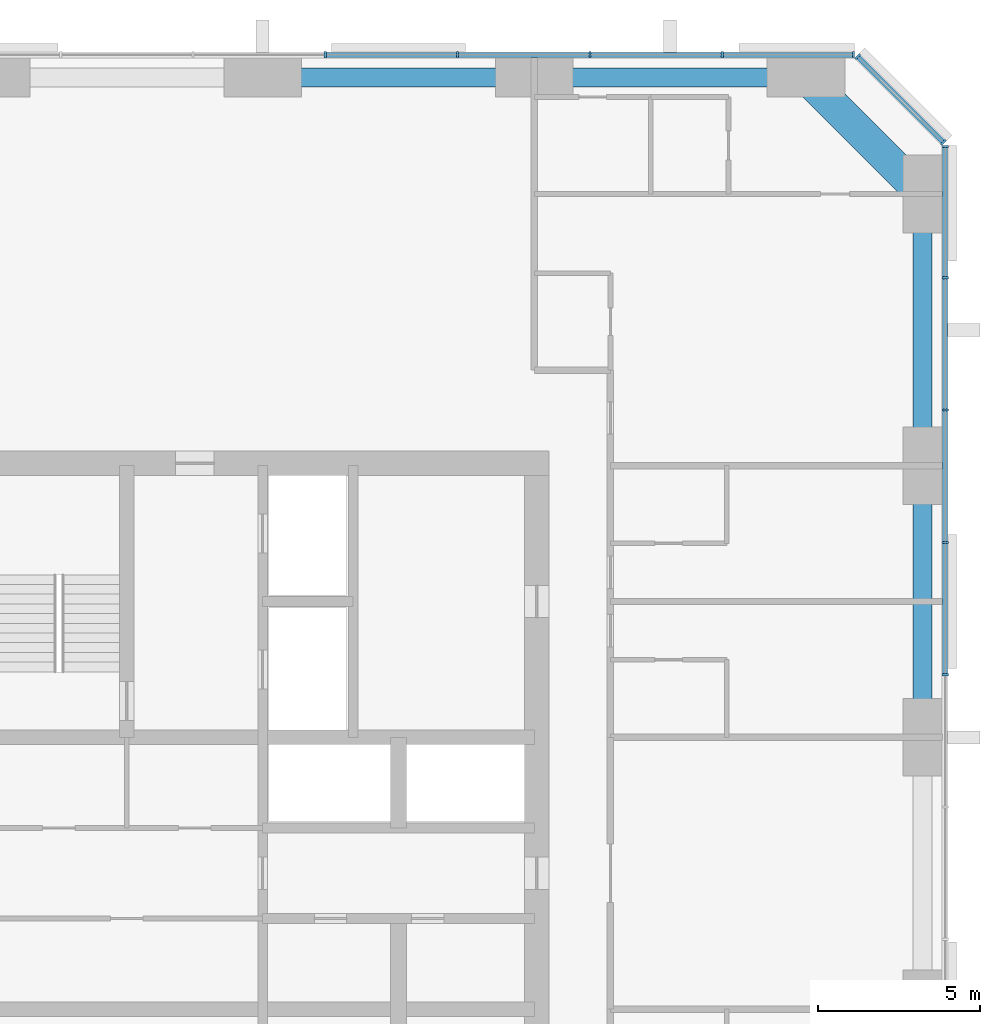
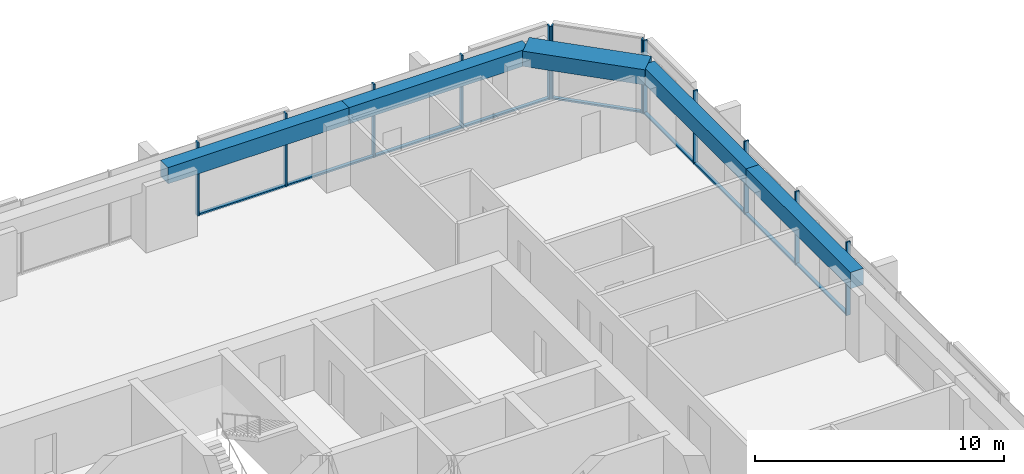
# One storey, part 6 of 13: 21 members, 5 beams, 3 elements without a shape of their own.
"""IFC4 building model written with IfcOpenShell, lengths in metres."""

from ifc_helpers import new_model, si_unit, direction, frame, origin, origin_2d, place, context, subcontext, project, spatial, rectangle, extrude, material, material_profile, profile_set, type_object, element, aggregate, save


model = new_model("IFC4")

# Units and contexts
model_context = context("Model", 3, precision=1e-05, world=origin(), true_north=direction((0.0, 1.0)))
body_context = subcontext(model_context, "Body", "Model", "MODEL_VIEW")
ifc_project = project(units=[si_unit("LENGTHUNIT", "METRE"), si_unit("AREAUNIT", "SQUARE_METRE"), si_unit("VOLUMEUNIT", "CUBIC_METRE"), si_unit("PLANEANGLEUNIT", "RADIAN"), si_unit("MASSUNIT", "GRAM", prefix="KILO")], contexts=[model_context])

# Site, building, storey
site_placement = place(None, origin())
site = spatial("IfcSite", under=ifc_project, at=site_placement, CompositionType="ELEMENT")
building_placement = place(site_placement, origin())
building = spatial("IfcBuilding", under=site, at=building_placement, Name="Dunama Terrace Hotel", CompositionType="ELEMENT")
storey_placement = place(building_placement, frame((0.0, 0.0, 166.199951171875)))
storey = spatial("IfcBuildingStorey", under=building, at=storey_placement, Name="L42", CompositionType="ELEMENT", Elevation=166.199951171875)

# Curtain wall, members
ifc_material_1 = material(Name="Aluminium curtain wall system", Category="aluminium")
curtain_wall_type = type_object("IfcCurtainWallType", Name="Unitised fritted glass wall CW-C", PredefinedType="NOTDEFINED", material=ifc_material_1)
curtain_wall_1_placement = place(storey_placement, origin())
curtain_wall_1 = element("IfcCurtainWall", 1, at=curtain_wall_1_placement, inside=storey, type_object=curtain_wall_type, Name="Unitised fritted glass wall CW-C L42", PredefinedType="NOTDEFINED")
ifc_material_2 = material(Name="Aluminium mullion", Category="aluminium")
ifc_material_profile_1 = material_profile(ifc_material_2, rectangle(XDim=0.070068359375, YDim=0.199951171875, at=origin_2d()), Name="CWC MULLION 70X200")
ifc_profile_set_1 = profile_set([ifc_material_profile_1], Name="Aluminium mullion")
member_type_1 = type_object("IfcMemberType", Name="CWC mullion 70x200", PredefinedType="MULLION", material=ifc_profile_set_1)
member_1_placement = place(storey_placement, frame((54.699951171875, 35.535888671875, 0.0), z_axis=(0.0, 0.0, 1.0), x_axis=(0.0, 1.0, 0.0)))
member_1 = element("IfcMember", 2, at=member_1_placement, type_object=member_type_1, Name="CWC mullion", PredefinedType="MULLION", context=body_context, shape_type="SweptSolid", body=[
    extrude(rectangle(XDim=0.070068359375, YDim=0.199951171875, at=origin_2d()), origin(), (0.0, 0.0, 1.0), 3.60009765625),
])
member_2_placement = place(storey_placement, frame((54.699951171875, 39.626953125, 0.0), z_axis=(0.0, 0.0, 1.0), x_axis=(0.0, 1.0, 0.0)))
member_2 = element("IfcMember", 3, at=member_2_placement, type_object=member_type_1, Name="CWC mullion", PredefinedType="MULLION", context=body_context, shape_type="SweptSolid", body=[
    extrude(rectangle(XDim=0.070068359375, YDim=0.199951171875, at=origin_2d()), origin(), (0.0, 0.0, 1.0), 3.60009765625),
])
member_3_placement = place(storey_placement, frame((54.699951171875, 43.718017578125, 0.0), z_axis=(0.0, 0.0, 1.0), x_axis=(0.0, 1.0, 0.0)))
member_3 = element("IfcMember", 4, at=member_3_placement, type_object=member_type_1, Name="CWC mullion", PredefinedType="MULLION", context=body_context, shape_type="SweptSolid", body=[
    extrude(rectangle(XDim=0.070068359375, YDim=0.199951171875, at=origin_2d()), origin(), (0.0, 0.0, 1.0), 3.60009765625),
])
member_4_placement = place(storey_placement, frame((54.699951171875, 47.80908203125, 0.0), z_axis=(0.0, 0.0, 1.0), x_axis=(0.0, 1.0, 0.0)))
member_4 = element("IfcMember", 5, at=member_4_placement, type_object=member_type_1, Name="CWC mullion", PredefinedType="MULLION", context=body_context, shape_type="SweptSolid", body=[
    extrude(rectangle(XDim=0.070068359375, YDim=0.199951171875, at=origin_2d()), origin(), (0.0, 0.0, 1.0), 3.60009765625),
])
member_5_placement = place(storey_placement, frame((54.699951171875, 51.864990234375, 0.0), z_axis=(0.0, 0.0, 1.0), x_axis=(0.0, 1.0, 0.0)))
member_5 = element("IfcMember", 6, at=member_5_placement, type_object=member_type_1, Name="CWC mullion", PredefinedType="MULLION", context=body_context, shape_type="SweptSolid", body=[
    extrude(rectangle(XDim=0.070068359375, YDim=0.199951171875, at=origin_2d()), origin(), (0.0, 0.0, 1.0), 3.60009765625),
])

curtain_wall_2_placement = place(storey_placement, origin())
curtain_wall_2 = element("IfcCurtainWall", 7, at=curtain_wall_2_placement, inside=storey, type_object=curtain_wall_type, Name="Unitised fritted glass wall CW-C L42", PredefinedType="NOTDEFINED")
member_6_placement = place(storey_placement, frame((54.64599609375, 51.9951171875, 0.0), z_axis=(0.0, 0.0, 1.0), x_axis=(-0.707106781187, 0.707106781187, 0.0)))
member_6 = element("IfcMember", 8, at=member_6_placement, type_object=member_type_1, Name="CWC mullion", PredefinedType="MULLION", context=body_context, shape_type="SweptSolid", body=[
    extrude(rectangle(XDim=0.070068359375, YDim=0.199951171875, at=origin_2d()), origin(), (0.0, 0.0, 1.0), 3.60009765625),
])
member_7_placement = place(storey_placement, frame((51.9951171875, 54.64599609375, 0.0), z_axis=(0.0, 0.0, 1.0), x_axis=(-0.707106781187, 0.707106781187, 0.0)))
member_7 = element("IfcMember", 9, at=member_7_placement, type_object=member_type_1, Name="CWC mullion", PredefinedType="MULLION", context=body_context, shape_type="SweptSolid", body=[
    extrude(rectangle(XDim=0.070068359375, YDim=0.199951171875, at=origin_2d()), origin(), (0.0, 0.0, 1.0), 3.60009765625),
])

curtain_wall_3_placement = place(storey_placement, origin())
curtain_wall_3 = element("IfcCurtainWall", 10, at=curtain_wall_3_placement, inside=storey, type_object=curtain_wall_type, Name="Unitised fritted glass wall CW-C L42", PredefinedType="NOTDEFINED")
member_8_placement = place(storey_placement, frame((51.864990234375, 54.699951171875, 0.0), z_axis=(0.0, 0.0, 1.0), x_axis=(-1.0, 0.0, 0.0)))
member_8 = element("IfcMember", 11, at=member_8_placement, type_object=member_type_1, Name="CWC mullion", PredefinedType="MULLION", context=body_context, shape_type="SweptSolid", body=[
    extrude(rectangle(XDim=0.070068359375, YDim=0.199951171875, at=origin_2d()), origin(), (0.0, 0.0, 1.0), 3.60009765625),
])
member_9_placement = place(storey_placement, frame((47.80908203125, 54.699951171875, 0.0), z_axis=(0.0, 0.0, 1.0), x_axis=(-1.0, 0.0, 0.0)))
member_9 = element("IfcMember", 12, at=member_9_placement, type_object=member_type_1, Name="CWC mullion", PredefinedType="MULLION", context=body_context, shape_type="SweptSolid", body=[
    extrude(rectangle(XDim=0.070068359375, YDim=0.199951171875, at=origin_2d()), origin(), (0.0, 0.0, 1.0), 3.60009765625),
])
member_10_placement = place(storey_placement, frame((43.718017578125, 54.699951171875, 0.0), z_axis=(0.0, 0.0, 1.0), x_axis=(-1.0, 0.0, 0.0)))
member_10 = element("IfcMember", 13, at=member_10_placement, type_object=member_type_1, Name="CWC mullion", PredefinedType="MULLION", context=body_context, shape_type="SweptSolid", body=[
    extrude(rectangle(XDim=0.070068359375, YDim=0.199951171875, at=origin_2d()), origin(), (0.0, 0.0, 1.0), 3.60009765625),
])
member_11_placement = place(storey_placement, frame((39.626953125, 54.699951171875, 0.0), z_axis=(0.0, 0.0, 1.0), x_axis=(-1.0, 0.0, 0.0)))
member_11 = element("IfcMember", 14, at=member_11_placement, type_object=member_type_1, Name="CWC mullion", PredefinedType="MULLION", context=body_context, shape_type="SweptSolid", body=[
    extrude(rectangle(XDim=0.070068359375, YDim=0.199951171875, at=origin_2d()), origin(), (0.0, 0.0, 1.0), 3.60009765625),
])
member_12_placement = place(storey_placement, frame((35.535888671875, 54.699951171875, 0.0), z_axis=(0.0, 0.0, 1.0), x_axis=(-1.0, 0.0, 0.0)))
member_12 = element("IfcMember", 15, at=member_12_placement, type_object=member_type_1, Name="CWC mullion", PredefinedType="MULLION", context=body_context, shape_type="SweptSolid", body=[
    extrude(rectangle(XDim=0.070068359375, YDim=0.199951171875, at=origin_2d()), origin(), (0.0, 0.0, 1.0), 3.60009765625),
])

# Member
ifc_material_3 = material(Name="Aluminium transom", Category="aluminium")
ifc_material_profile_2 = material_profile(ifc_material_3, rectangle(XDim=0.159912109375, YDim=0.080078125, at=origin_2d()), Name="CWC TRANSOM 160X80")
ifc_profile_set_2 = profile_set([ifc_material_profile_2], Name="Aluminium transom")
member_type_2 = type_object("IfcMemberType", Name="CWC transom 160x80", PredefinedType="USERDEFINED", material=ifc_profile_set_2)
member_13_placement = place(storey_placement, frame((54.699951171875, 35.571044921875, 0.0400390625), z_axis=(0.0, 1.0, 0.0), x_axis=(-1.0, 0.0, 0.0)))
member_13 = element("IfcMember", 16, at=member_13_placement, type_object=member_type_2, Name="CWC transom", ObjectType="TRANSOM", PredefinedType="USERDEFINED", context=body_context, shape_type="SweptSolid", body=[
    extrude(rectangle(XDim=0.159912109375, YDim=0.080078125, at=origin_2d()), origin(), (0.0, 0.0, 1.0), 4.02099609375),
])

member_14_placement = place(storey_placement, frame((54.699951171875, 39.662109375, 0.0400390625), z_axis=(0.0, 1.0, 0.0), x_axis=(-1.0, 0.0, 0.0)))
member_14 = element("IfcMember", 17, at=member_14_placement, type_object=member_type_2, Name="CWC transom", ObjectType="TRANSOM", PredefinedType="USERDEFINED", context=body_context, shape_type="SweptSolid", body=[
    extrude(rectangle(XDim=0.159912109375, YDim=0.080078125, at=origin_2d()), origin(), (0.0, 0.0, 1.0), 4.02099609375),
])

member_15_placement = place(storey_placement, frame((54.699951171875, 43.7529296875, 0.0400390625), z_axis=(0.0, 1.0, 0.0), x_axis=(-1.0, 0.0, 0.0)))
member_15 = element("IfcMember", 18, at=member_15_placement, type_object=member_type_2, Name="CWC transom", ObjectType="TRANSOM", PredefinedType="USERDEFINED", context=body_context, shape_type="SweptSolid", body=[
    extrude(rectangle(XDim=0.159912109375, YDim=0.080078125, at=origin_2d()), origin(), (0.0, 0.0, 1.0), 4.02099609375),
])

member_16_placement = place(storey_placement, frame((54.699951171875, 47.843994140625, 0.0400390625), z_axis=(0.0, 1.0, 0.0), x_axis=(-1.0, 0.0, 0.0)))
member_16 = element("IfcMember", 19, at=member_16_placement, type_object=member_type_2, Name="CWC transom", ObjectType="TRANSOM", PredefinedType="USERDEFINED", context=body_context, shape_type="SweptSolid", body=[
    extrude(rectangle(XDim=0.159912109375, YDim=0.080078125, at=origin_2d()), origin(), (0.0, 0.0, 1.0), 3.986083984375),
])

aggregate(curtain_wall_1, [member_1, member_2, member_3, member_4, member_5, member_13, member_14, member_15, member_16])

member_17_placement = place(storey_placement, frame((54.62109375, 52.02001953125, 0.0400390625), z_axis=(-0.707106781187, 0.707106781187, 0.0), x_axis=(-0.707106781187, -0.707106781187, 0.0)))
member_17 = element("IfcMember", 20, at=member_17_placement, type_object=member_type_2, Name="CWC transom", ObjectType="TRANSOM", PredefinedType="USERDEFINED", context=body_context, shape_type="SweptSolid", body=[
    extrude(rectangle(XDim=0.159912109375, YDim=0.080078125, at=origin_2d()), origin(), (0.0, 0.0, 1.0), 3.678466796875),
])

aggregate(curtain_wall_2, [member_6, member_7, member_17])

member_18_placement = place(storey_placement, frame((51.830078125, 54.699951171875, 0.0400390625), z_axis=(-1.0, 0.0, 0.0), x_axis=(0.0, -1.0, 0.0)))
member_18 = element("IfcMember", 21, at=member_18_placement, type_object=member_type_2, Name="CWC transom", ObjectType="TRANSOM", PredefinedType="USERDEFINED", context=body_context, shape_type="SweptSolid", body=[
    extrude(rectangle(XDim=0.159912109375, YDim=0.080078125, at=origin_2d()), origin(), (0.0, 0.0, 1.0), 3.986083984375),
])

member_19_placement = place(storey_placement, frame((47.77392578125, 54.699951171875, 0.0400390625), z_axis=(-1.0, 0.0, 0.0), x_axis=(0.0, -1.0, 0.0)))
member_19 = element("IfcMember", 22, at=member_19_placement, type_object=member_type_2, Name="CWC transom", ObjectType="TRANSOM", PredefinedType="USERDEFINED", context=body_context, shape_type="SweptSolid", body=[
    extrude(rectangle(XDim=0.159912109375, YDim=0.080078125, at=origin_2d()), origin(), (0.0, 0.0, 1.0), 4.02099609375),
])

member_20_placement = place(storey_placement, frame((43.68310546875, 54.699951171875, 0.0400390625), z_axis=(-1.0, 0.0, 0.0), x_axis=(0.0, -1.0, 0.0)))
member_20 = element("IfcMember", 23, at=member_20_placement, type_object=member_type_2, Name="CWC transom", ObjectType="TRANSOM", PredefinedType="USERDEFINED", context=body_context, shape_type="SweptSolid", body=[
    extrude(rectangle(XDim=0.159912109375, YDim=0.080078125, at=origin_2d()), origin(), (0.0, 0.0, 1.0), 4.02099609375),
])

member_21_placement = place(storey_placement, frame((39.592041015625, 54.699951171875, 0.0400390625), z_axis=(-1.0, 0.0, 0.0), x_axis=(0.0, -1.0, 0.0)))
member_21 = element("IfcMember", 24, at=member_21_placement, type_object=member_type_2, Name="CWC transom", ObjectType="TRANSOM", PredefinedType="USERDEFINED", context=body_context, shape_type="SweptSolid", body=[
    extrude(rectangle(XDim=0.159912109375, YDim=0.080078125, at=origin_2d()), origin(), (0.0, 0.0, 1.0), 4.02099609375),
])

aggregate(curtain_wall_3, [member_8, member_9, member_10, member_11, member_12, member_18, member_19, member_20, member_21])

# Beams
ifc_material_4 = material(Name="Concrete C50/60", Category="concrete")
ifc_material_profile_3 = material_profile(ifc_material_4, rectangle(XDim=1.0, YDim=0.75, at=origin_2d()), Name="RC 1000x750")
ifc_profile_set_3 = profile_set([ifc_material_profile_3], Name="Concrete C50/60")
beam_type_1 = type_object("IfcBeamType", Name="Edge beam RC 1000x750", PredefinedType="SPANDREL", material=ifc_profile_set_3)
beam_placement = place(storey_placement, frame((50.39990234375, 54.0, 3.22509765625), z_axis=(0.707106781187, -0.707106781187, 0.0), x_axis=(0.707106781187, 0.707106781187, 0.0)))
element("IfcBeam", 25, at=beam_placement, inside=storey, type_object=beam_type_1, Name="Corner edge beam under L43", PredefinedType="SPANDREL", context=body_context, shape_type="SweptSolid", body=[
    extrude(rectangle(XDim=1.0, YDim=0.75, at=origin_2d()), origin(), (0.0, 0.0, 1.0), 5.09130859375),
])
ifc_material_5 = material(Name="Concrete C40/50", Category="concrete")
ifc_material_profile_4 = material_profile(ifc_material_5, rectangle(XDim=0.60009765625, YDim=0.800048828125, at=origin_2d()), Name="RC 600x800")
ifc_profile_set_4 = profile_set([ifc_material_profile_4], Name="Concrete C40/50")
beam_type_2 = type_object("IfcBeamType", Name="Edge beam RC 600x800", PredefinedType="SPANDREL", material=ifc_profile_set_4)
for number, where, z_axis, x_axis, name in (
    (26, (54.0, 33.60009765625, 3.199951171875), (0.0, 1.0, 0.0), (-1.0, 0.0, 0.0), "Edge beam under L43"),
    (27, (54.0, 42.0, 3.199951171875), (0.0, 1.0, 0.0), (-1.0, 0.0, 0.0), "Edge beam under L43"),
    (28, (33.60009765625, 54.0, 3.199951171875), (1.0, 0.0, 0.0), (0.0, 1.0, 0.0), "Edge beam under L43"),
    (29, (42.0, 54.0, 3.199951171875), (1.0, 0.0, 0.0), (0.0, 1.0, 0.0), "Edge beam under L43"),
):
    element("IfcBeam", number, at=place(storey_placement, frame(where, z_axis=z_axis, x_axis=x_axis)), inside=storey, type_object=beam_type_2, Name=name, PredefinedType="SPANDREL", context=body_context, shape_type="SweptSolid", body=[
        extrude(rectangle(XDim=0.60009765625, YDim=0.800048828125, at=origin_2d()), origin(), (0.0, 0.0, 1.0), 8.39990234375),
    ])

save(model, "model.ifc")
